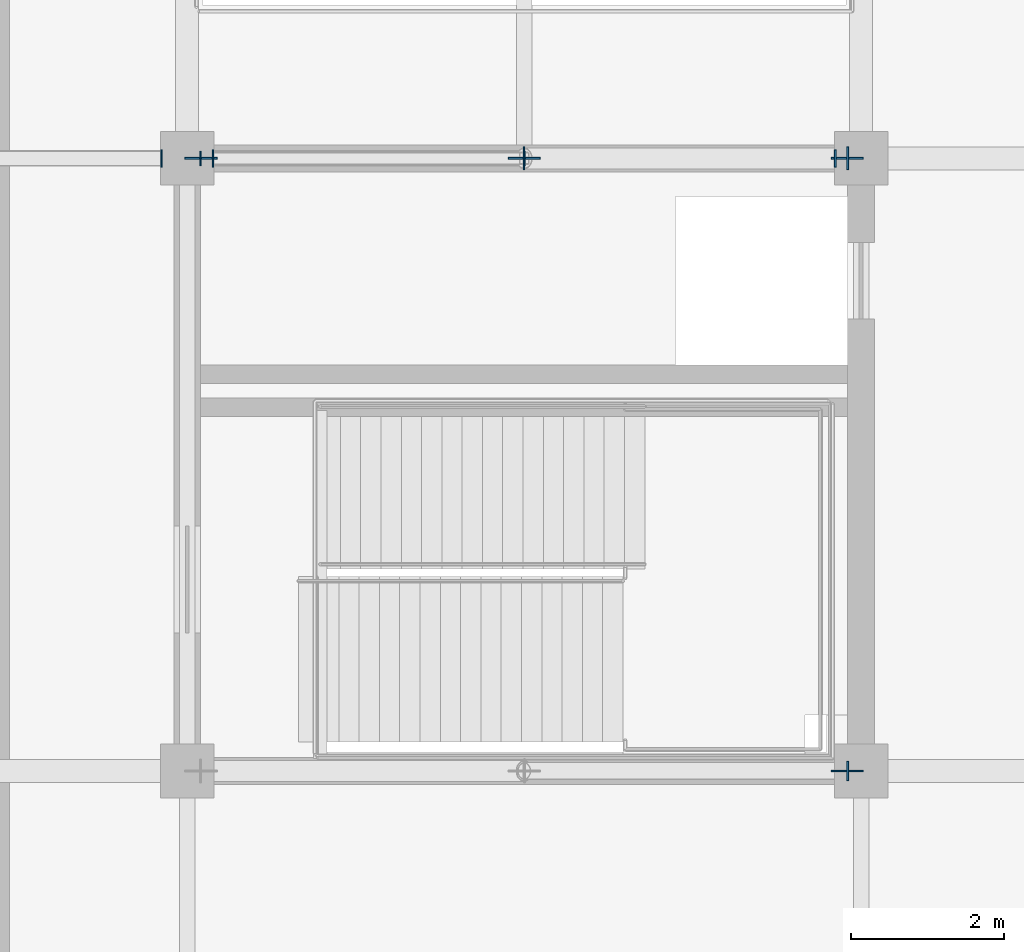
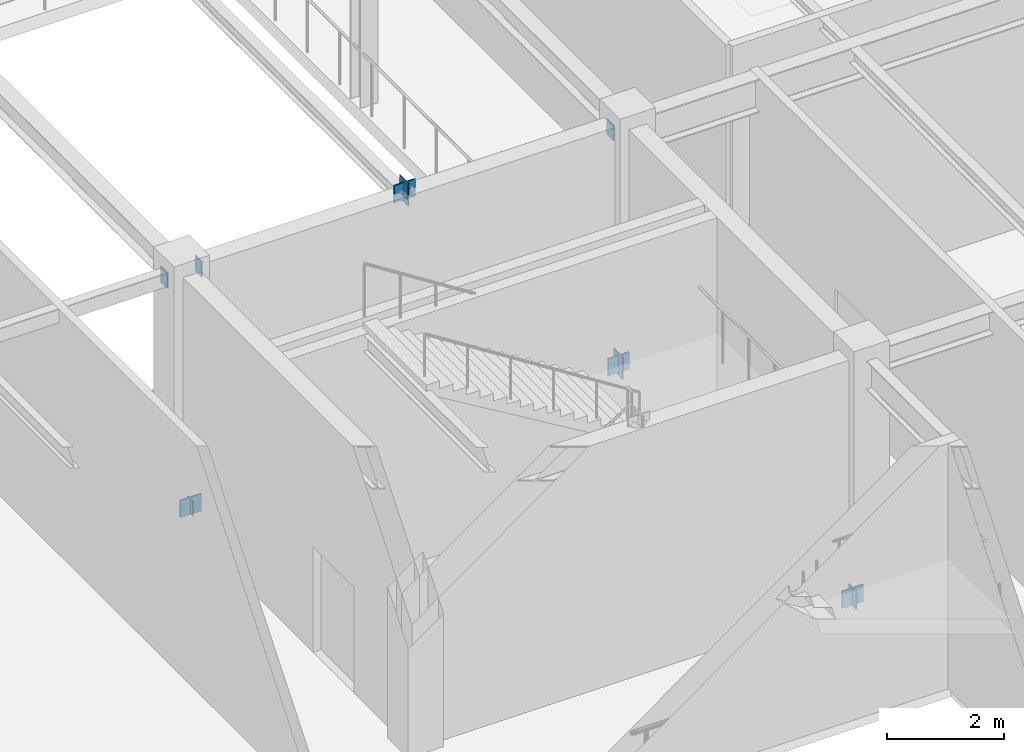
# One storey, part 135 of 184: 12 plates.
"""IFC4 building model written with IfcOpenShell, lengths in metres."""

from ifc_helpers import new_model, si_unit, direction, frame, origin, origin_2d, place, context, subcontext, project, spatial, rectangle, extrude, material, layer, layer_set, type_object, element, save


model = new_model("IFC4")

# Units and contexts
model_context = context("Model", 3, precision=1e-05, world=origin(), true_north=direction((0.0, 1.0)))
body_context = subcontext(model_context, "Body", "Model", "MODEL_VIEW")
ifc_project = project(units=[si_unit("LENGTHUNIT", "METRE"), si_unit("AREAUNIT", "SQUARE_METRE"), si_unit("VOLUMEUNIT", "CUBIC_METRE"), si_unit("PLANEANGLEUNIT", "RADIAN"), si_unit("MASSUNIT", "GRAM", prefix="KILO")], contexts=[model_context])

# Site, building, storey
site_placement = place(None, origin())
site = spatial("IfcSite", under=ifc_project, at=site_placement, CompositionType="ELEMENT")
building_placement = place(site_placement, origin())
building = spatial("IfcBuilding", under=site, at=building_placement, Name="Zhaolan Boulevard Law Courts", CompositionType="ELEMENT")
storey_placement = place(building_placement, frame((0.0, 0.0, 5.39990234375)))
storey = spatial("IfcBuildingStorey", under=building, at=storey_placement, Name="L01", CompositionType="ELEMENT", Elevation=5.39990234375)

# Plates
ifc_material_1 = material(Name="Structural steel Q355B", Category="steel")
ifc_layer_1 = layer(ifc_material_1, 0.02392578125)
ifc_layer_set_1 = layer_set([ifc_layer_1])
plate_type_1 = type_object("IfcPlateType", Name="BRACE GUSSET PLATE 24", PredefinedType="SHEET", material=ifc_layer_set_1)
for number, where, z_axis, x_axis, name in (
    (1, (17.780029296875, 94.0, -0.14990234375), (0.0, 0.0, 1.0), (1.0, 0.0, 0.0), "Brace Gusset Connection Plate GP-L1-L01-NA1"),
    (2, (26.219970703125, 94.0, -0.14990234375), (0.0, 0.0, 1.0), (1.0, 0.0, 0.0), "Brace Gusset Connection Plate GP-L1-L01-NA2"),
    (3, (22.0, 94.0, 4.93994140625), (0.0, 0.0, 1.0), (1.0, 0.0, 0.0), "Brace Gusset Connection Plate GP-L1-L01-NAPX"),
    (4, (26.219970703125, 86.0, -0.14990234375), (0.0, 0.0, 1.0), (1.0, 0.0, 0.0), "Brace Gusset Connection Plate GP-L1-L01-SA2"),
):
    element("IfcPlate", number, at=place(storey_placement, frame(where, z_axis=z_axis, x_axis=x_axis)), inside=storey, type_object=plate_type_1, Name=name, PredefinedType="SHEET", context=body_context, shape_type="SweptSolid", body=[
        extrude(rectangle(XDim=0.419921875, YDim=0.02392578125, at=origin_2d()), origin(), (0.0, 0.0, 1.0), 0.360107421875),
    ])
ifc_material_2 = material(Name="Structural steel Q355B", Category="steel")
ifc_layer_2 = layer(ifc_material_2, 0.02001953125)
ifc_layer_set_2 = layer_set([ifc_layer_2])
plate_type_2 = type_object("IfcPlateType", Name="END CAP PLATE 20", PredefinedType="SHEET", material=ifc_layer_set_2)
for number, where, z_axis, x_axis, name in (
    (5, (17.261962890625, 94.0, 4.802978515625), (0.0, 0.0, 1.0), (1.0, 0.0, 0.0), "Hollow Section End-Cap Plate ECP-0822"),
    (6, (17.93798828125, 94.0, 4.802978515625), (0.0, 0.0, 1.0), (1.0, 0.0, 0.0), "Hollow Section End-Cap Plate ECP-0823"),
    (7, (26.06201171875, 94.0, 4.802978515625), (0.0, 0.0, 1.0), (1.0, 0.0, 0.0), "Hollow Section End-Cap Plate ECP-0824"),
):
    element("IfcPlate", number, at=place(storey_placement, frame(where, z_axis=z_axis, x_axis=x_axis)), inside=storey, type_object=plate_type_2, Name=name, PredefinedType="SHEET", context=body_context, shape_type="SweptSolid", body=[
        extrude(rectangle(XDim=0.02001953125, YDim=0.22998046875, at=origin_2d()), origin(), (0.0, 0.0, 1.0), 0.330078125),
    ])
for number, where, z_axis, x_axis, name in (
    (8, (17.77490234375, 94.0, -0.125), (0.0, 0.0, 1.0), (1.0, 0.0, 0.0), "Hollow Section End-Cap Plate ECP-1351"),
    (9, (22.005126953125, 94.0, 4.97705078125), (0.0, 0.0, 1.0), (1.0, 0.0, 0.0), "Hollow Section End-Cap Plate ECP-1352"),
):
    element("IfcPlate", number, at=place(storey_placement, frame(where, z_axis=z_axis, x_axis=x_axis)), inside=storey, type_object=plate_type_2, Name=name, PredefinedType="SHEET", context=body_context, shape_type="SweptSolid", body=[
        extrude(rectangle(XDim=0.02001953125, YDim=0.18994140625, at=origin_2d()), origin(), (0.0, 0.0, 1.0), 0.298095703125),
    ])
for number, where, z_axis, x_axis, name in (
    (10, (26.22509765625, 94.0, -0.213623046875), (0.0, 0.0, 1.0), (-1.0, 0.0, 0.0), "Hollow Section End-Cap Plate ECP-1353"),
    (11, (21.994873046875, 94.0, 4.888671875), (0.0, 0.0, 1.0), (-1.0, 0.0, 0.0), "Hollow Section End-Cap Plate ECP-1354"),
):
    element("IfcPlate", number, at=place(storey_placement, frame(where, z_axis=z_axis, x_axis=x_axis)), inside=storey, type_object=plate_type_2, Name=name, PredefinedType="SHEET", context=body_context, shape_type="SweptSolid", body=[
        extrude(rectangle(XDim=0.02001953125, YDim=0.302978515625, at=origin_2d()), origin(), (0.0, 0.0, 1.0), 0.47509765625),
    ])
plate_placement = place(storey_placement, frame((26.22509765625, 86.0, -0.1708984375), z_axis=(0.0, 0.0, 1.0), x_axis=(-1.0, 0.0, 0.0)))
element("IfcPlate", 12, at=plate_placement, inside=storey, type_object=plate_type_2, Name="Hollow Section End-Cap Plate ECP-1357", PredefinedType="SHEET", context=body_context, shape_type="SweptSolid", body=[
    extrude(rectangle(XDim=0.02001953125, YDim=0.2490234375, at=origin_2d()), origin(), (0.0, 0.0, 1.0), 0.389892578125),
])

save(model, "model.ifc")
